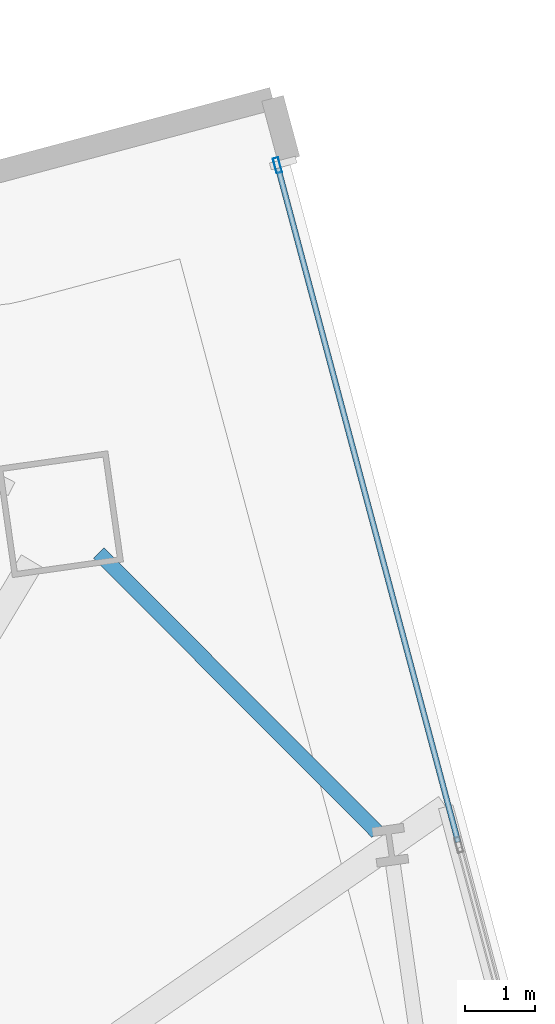
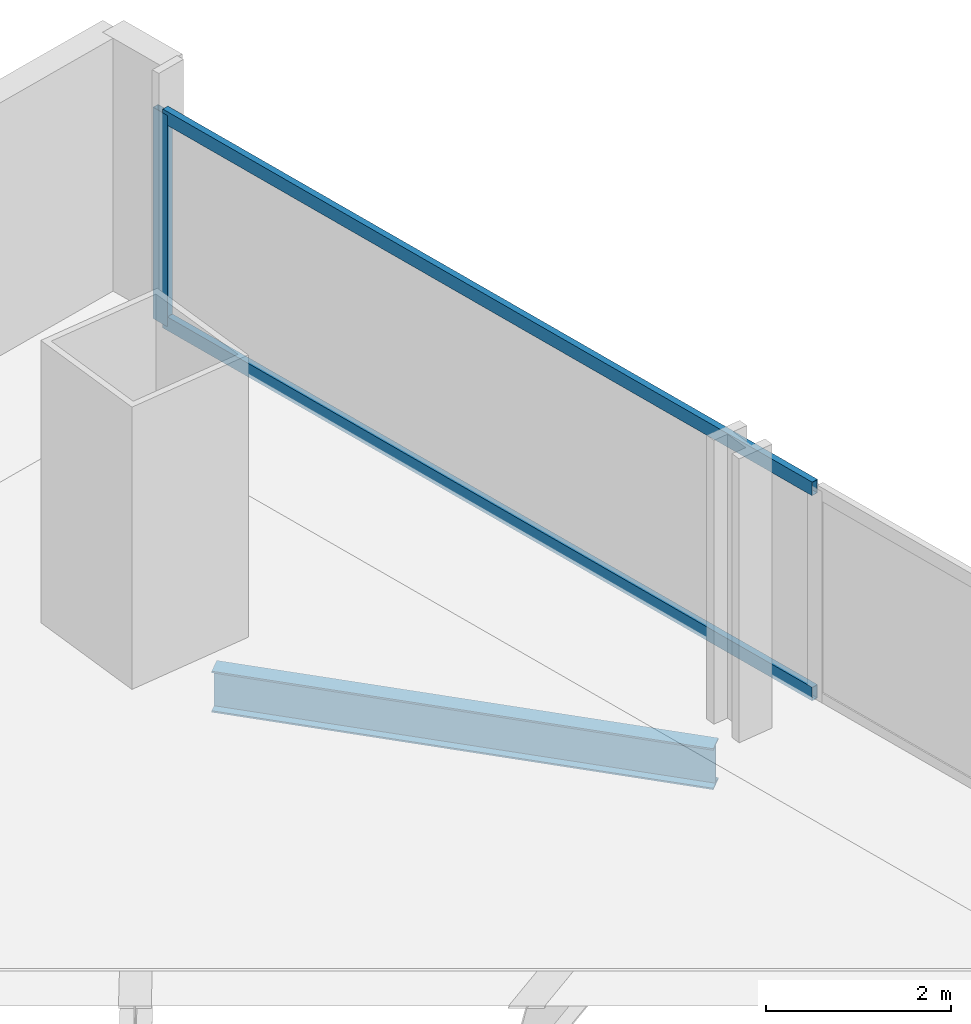
# One storey, part 23 of 33: 3 members, 1 beam, 1 element without a shape of its own.
"""IFC4 building model written with IfcOpenShell, lengths in metres."""

from ifc_helpers import new_model, si_unit, direction, frame, origin, origin_2d, place, context, subcontext, project, spatial, hollow_rectangle, i_section, extrude, material, material_profile, profile_set, type_object, element, aggregate, save


model = new_model("IFC4")

# Units and contexts
model_context = context("Model", 3, precision=1e-05, world=origin(), true_north=direction((0.0, 1.0)))
body_context = subcontext(model_context, "Body", "Model", "MODEL_VIEW")
ifc_project = project(units=[si_unit("LENGTHUNIT", "METRE"), si_unit("AREAUNIT", "SQUARE_METRE"), si_unit("VOLUMEUNIT", "CUBIC_METRE"), si_unit("PLANEANGLEUNIT", "RADIAN"), si_unit("MASSUNIT", "GRAM", prefix="KILO")], contexts=[model_context])

# Site, building, storey
site_placement = place(None, origin())
site = spatial("IfcSite", under=ifc_project, at=site_placement, CompositionType="ELEMENT")
building_placement = place(site_placement, origin())
building = spatial("IfcBuilding", under=site, at=building_placement, Name="Haldenkirk Collegiate Tower", CompositionType="ELEMENT")
storey_placement = place(building_placement, frame((0.0, 0.0, 77.699951171875)))
storey = spatial("IfcBuildingStorey", under=building, at=storey_placement, Name="L18", CompositionType="ELEMENT", Elevation=77.699951171875)

# Beam
ifc_material_1 = material(Name="Steel ASTM A992 Grade 50", Category="steel")
ifc_material_profile_1 = material_profile(ifc_material_1, i_section(OverallWidth=0.2119140625, OverallDepth=0.5439453125, WebThickness=0.01318359375, FlangeThickness=0.021240234375, at=origin_2d()), Name="W21X83")
ifc_profile_set_1 = profile_set([ifc_material_profile_1], Name="Steel ASTM A992 Grade 50")
beam_type = type_object("IfcBeamType", Name="BM-SPANDREL-W21X83", PredefinedType="SPANDREL", material=ifc_profile_set_1)
beam_placement = place(storey_placement, frame((57.70556640625, 43.135986328125, -0.58203125), z_axis=(-0.706085689957, 0.708126400043, 0.0), x_axis=(-0.708126400043, -0.706085689957, 0.0)))
element("IfcBeam", 1, at=beam_placement, inside=storey, type_object=beam_type, Name="L18 perimeter spandrel beam 08", PredefinedType="SPANDREL", context=body_context, shape_type="SweptSolid", body=[
    extrude(i_section(OverallWidth=0.2119140625, OverallDepth=0.5439453125, WebThickness=0.01318359375, FlangeThickness=0.021240234375, at=origin_2d()), origin(), (0.0, 0.0, 1.0), 5.622802734375),
])

# Curtain wall, members
ifc_material_2 = material(Name="Anodised architectural bronze aluminium", Category="aluminium")
curtain_wall_type = type_object("IfcCurtainWallType", Name="CW-SYS1-CONVEX-LOW", PredefinedType="USERDEFINED", material=ifc_material_2)
curtain_wall_placement = place(storey_placement, origin())
curtain_wall = element("IfcCurtainWall", 2, at=curtain_wall_placement, inside=storey, type_object=curtain_wall_type, Name="L18 Lower tower convex bronze-framed unitised curtain wall", ObjectType="UNITISED CURTAIN WALL", PredefinedType="USERDEFINED")
ifc_material_profile_2 = material_profile(ifc_material_2, hollow_rectangle(XDim=0.080078125, YDim=0.219970703125, WallThickness=0.0048828125, at=origin_2d()), Name="CW-MUL-1A")
ifc_profile_set_2 = profile_set([ifc_material_profile_2], Name="Anodised architectural bronze aluminium")
member_type_1 = type_object("IfcMemberType", Name="CW-MUL-1A", PredefinedType="MULLION", material=ifc_profile_set_2)
member_1_placement = place(storey_placement, frame((56.282958984375, 52.64453125, 0.0), z_axis=(0.0, 0.0, 1.0), x_axis=(0.966151314092, 0.257976042062, 0.0)))
member_1 = element("IfcMember", 3, at=member_1_placement, type_object=member_type_1, Name="CW-1A mullion 1", PredefinedType="MULLION", context=body_context, shape_type="SweptSolid", body=[
    extrude(hollow_rectangle(XDim=0.080078125, YDim=0.219970703125, WallThickness=0.0048828125, at=origin_2d()), origin(), (0.0, 0.0, 1.0), 2.791015625),
])
ifc_material_profile_3 = material_profile(ifc_material_2, hollow_rectangle(XDim=0.080078125, YDim=0.179931640625, WallThickness=0.0048828125, at=origin_2d()), Name="CW-TRN-1A")
ifc_profile_set_3 = profile_set([ifc_material_profile_3], Name="Anodised architectural bronze aluminium")
member_type_2 = type_object("IfcMemberType", Name="CW-TRN-1A", PredefinedType="USERDEFINED", material=ifc_profile_set_3)
member_2_placement = place(storey_placement, frame((56.293212890625, 52.605712890625, 0.0400390625), z_axis=(0.2579910262, -0.966147312991, 0.0), x_axis=(0.966147312991, 0.2579910262, 0.0)))
member_2 = element("IfcMember", 4, at=member_2_placement, type_object=member_type_2, Name="CW-1A transom 1.1", ObjectType="TRANSOM", PredefinedType="USERDEFINED", context=body_context, shape_type="SweptSolid", body=[
    extrude(hollow_rectangle(XDim=0.080078125, YDim=0.179931640625, WallThickness=0.0048828125, at=origin_2d()), origin(), (0.0, 0.0, 1.0), 9.948486328125),
])
member_3_placement = place(storey_placement, frame((56.293212890625, 52.605712890625, 2.7509765625), z_axis=(0.2579910262, -0.966147312991, 0.0), x_axis=(0.966147312991, 0.2579910262, 0.0)))
member_3 = element("IfcMember", 5, at=member_3_placement, type_object=member_type_2, Name="CW-1A transom 1.2", ObjectType="TRANSOM", PredefinedType="USERDEFINED", context=body_context, shape_type="SweptSolid", body=[
    extrude(hollow_rectangle(XDim=0.080078125, YDim=0.179931640625, WallThickness=0.0048828125, at=origin_2d()), origin(), (0.0, 0.0, 1.0), 9.948486328125),
])
aggregate(curtain_wall, [member_1, member_2, member_3])

save(model, "model.ifc")
